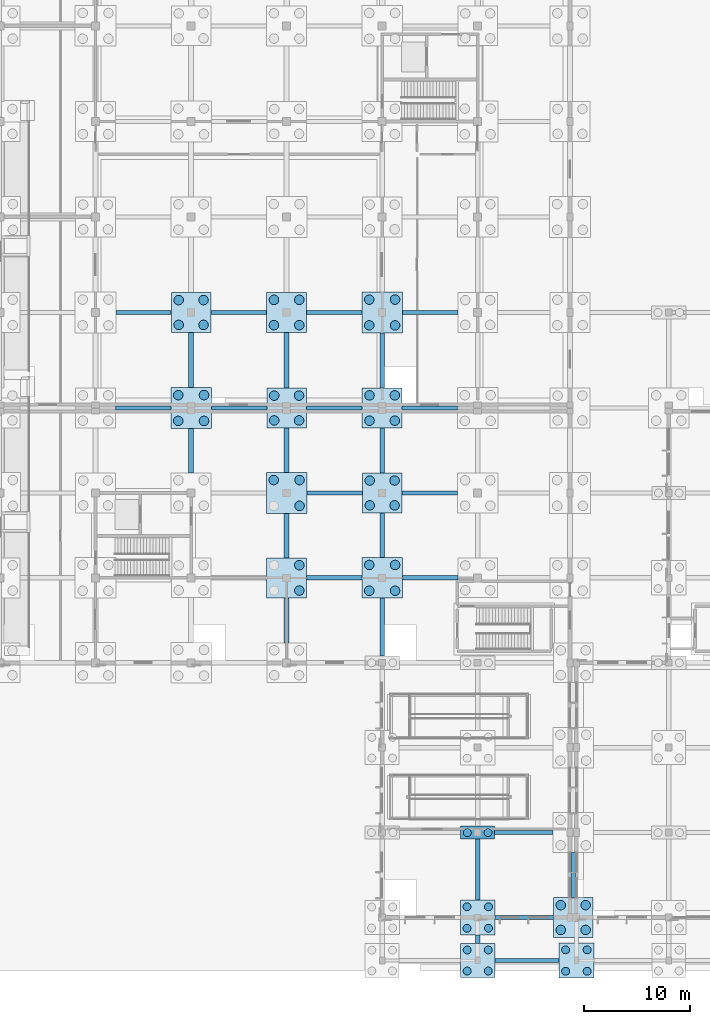
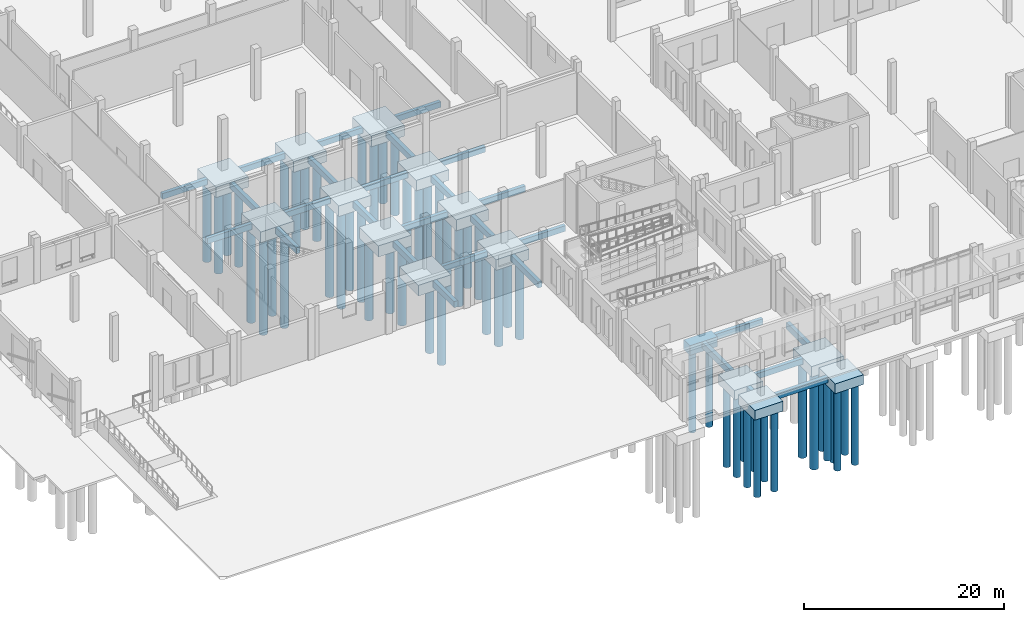
# One storey, part 3 of 99: 55 piles, 43 footings.
"""IFC4 building model written with IfcOpenShell, lengths in metres."""

from ifc_helpers import new_model, si_unit, direction, frame, origin, origin_2d, place, context, subcontext, project, spatial, rectangle, circle, extrude, material, layer, layer_set, material_profile, profile_set, type_object, element, save


model = new_model("IFC4")

# Units and contexts
model_context = context("Model", 3, precision=1e-05, world=origin(), true_north=direction((0.0, 1.0)))
body_context = subcontext(model_context, "Body", "Model", "MODEL_VIEW")
ifc_project = project(units=[si_unit("LENGTHUNIT", "METRE"), si_unit("AREAUNIT", "SQUARE_METRE"), si_unit("VOLUMEUNIT", "CUBIC_METRE"), si_unit("PLANEANGLEUNIT", "RADIAN"), si_unit("MASSUNIT", "GRAM", prefix="KILO")], contexts=[model_context])

# Site, building, storey
site_placement = place(None, origin())
site = spatial("IfcSite", under=ifc_project, at=site_placement, CompositionType="ELEMENT")
building_placement = place(site_placement, origin())
building = spatial("IfcBuilding", under=site, at=building_placement, Name="Zacnel Wholesale Market", CompositionType="ELEMENT")
storey_placement = place(building_placement, origin())
storey = spatial("IfcBuildingStorey", under=building, at=storey_placement, Name="L01", CompositionType="ELEMENT", Elevation=0.0)

# Footings
ifc_material_1 = material(Name="Concrete C35/45", Category="concrete")
ifc_material_profile_1 = material_profile(ifc_material_1, rectangle(XDim=0.39990234375, YDim=0.699951171875, at=origin_2d()), Name="CT 400x700")
ifc_profile_set_1 = profile_set([ifc_material_profile_1], Name="Concrete C35/45")
footing_type_1 = type_object("IfcFootingType", Name="FTG-CT400X700", PredefinedType="FOOTING_BEAM", material=ifc_profile_set_1)
footing_1_placement = place(storey_placement, frame((64.6201171875, -4.050048828125, -0.85009765625), z_axis=(1.0, 0.0, 0.0), x_axis=(0.0, 1.0, 0.0)))
element("IfcFooting", 1, at=footing_1_placement, inside=storey, type_object=footing_type_1, Name="Ground tie beam CT-X-0247", PredefinedType="FOOTING_BEAM", context=body_context, shape_type="SweptSolid", body=[
    extrude(rectangle(XDim=0.39990234375, YDim=0.699951171875, at=origin_2d()), origin(), (0.0, 0.0, 1.0), 6.044921875),
])
footing_2_placement = place(storey_placement, frame((64.635009765625, 0.0, -0.85009765625), z_axis=(1.0, 0.0, 0.0), x_axis=(0.0, 1.0, 0.0)))
element("IfcFooting", 2, at=footing_2_placement, inside=storey, type_object=footing_type_1, Name="Ground tie beam CT-X-0252", PredefinedType="FOOTING_BEAM", context=body_context, shape_type="SweptSolid", body=[
    extrude(rectangle(XDim=0.39990234375, YDim=0.699951171875, at=origin_2d()), origin(), (0.0, 0.0, 1.0), 5.494873046875),
])
footing_3_placement = place(storey_placement, frame((64.60009765625, 8.0, -0.85009765625), z_axis=(1.0, 0.0, 0.0), x_axis=(0.0, 1.0, 0.0)))
element("IfcFooting", 3, at=footing_3_placement, inside=storey, type_object=footing_type_1, Name="Ground tie beam CT-X-0268", PredefinedType="FOOTING_BEAM", context=body_context, shape_type="SweptSolid", body=[
    extrude(rectangle(XDim=0.39990234375, YDim=0.699951171875, at=origin_2d()), origin(), (0.0, 0.0, 1.0), 5.510009765625),
])
footing_4_placement = place(storey_placement, frame((46.889892578125, 32.0, -0.85009765625), z_axis=(1.0, 0.0, 0.0), x_axis=(0.0, 1.0, 0.0)))
element("IfcFooting", 4, at=footing_4_placement, inside=storey, type_object=footing_type_1, Name="Ground tie beam CT-X-0322", PredefinedType="FOOTING_BEAM", context=body_context, shape_type="SweptSolid", body=[
    extrude(rectangle(XDim=0.39990234375, YDim=0.699951171875, at=origin_2d()), origin(), (0.0, 0.0, 1.0), 5.195068359375),
])
for number, where, z_axis, x_axis, name in (
    (5, (55.9150390625, 32.0, -0.85009765625), (1.0, 0.0, 0.0), (0.0, 1.0, 0.0), "Ground tie beam CT-X-0323"),
    (6, (46.9150390625, 40.0, -0.85009765625), (1.0, 0.0, 0.0), (0.0, 1.0, 0.0), "Ground tie beam CT-X-0343"),
):
    element("IfcFooting", number, at=place(storey_placement, frame(where, z_axis=z_axis, x_axis=x_axis)), inside=storey, type_object=footing_type_1, Name=name, PredefinedType="FOOTING_BEAM", context=body_context, shape_type="SweptSolid", body=[
        extrude(rectangle(XDim=0.39990234375, YDim=0.699951171875, at=origin_2d()), origin(), (0.0, 0.0, 1.0), 5.21484375),
    ])
footing_5_placement = place(storey_placement, frame((55.8701171875, 40.0, -0.85009765625), z_axis=(1.0, 0.0, 0.0), x_axis=(0.0, 1.0, 0.0)))
element("IfcFooting", 7, at=footing_5_placement, inside=storey, type_object=footing_type_1, Name="Ground tie beam CT-X-0344", PredefinedType="FOOTING_BEAM", context=body_context, shape_type="SweptSolid", body=[
    extrude(rectangle(XDim=0.39990234375, YDim=0.699951171875, at=origin_2d()), origin(), (0.0, 0.0, 1.0), 5.239990234375),
])
footing_6_placement = place(storey_placement, frame((28.889892578125, 48.0, -0.85009765625), z_axis=(1.0, 0.0, 0.0), x_axis=(0.0, 1.0, 0.0)))
element("IfcFooting", 8, at=footing_6_placement, inside=storey, type_object=footing_type_1, Name="Ground tie beam CT-X-0364", PredefinedType="FOOTING_BEAM", context=body_context, shape_type="SweptSolid", body=[
    extrude(rectangle(XDim=0.39990234375, YDim=0.699951171875, at=origin_2d()), origin(), (0.0, 0.0, 1.0), 5.195068359375),
])
footing_7_placement = place(storey_placement, frame((37.9150390625, 48.0, -0.85009765625), z_axis=(1.0, 0.0, 0.0), x_axis=(0.0, 1.0, 0.0)))
element("IfcFooting", 9, at=footing_7_placement, inside=storey, type_object=footing_type_1, Name="Ground tie beam CT-X-0365", PredefinedType="FOOTING_BEAM", context=body_context, shape_type="SweptSolid", body=[
    extrude(rectangle(XDim=0.39990234375, YDim=0.699951171875, at=origin_2d()), origin(), (0.0, 0.0, 1.0), 5.21484375),
])
footing_8_placement = place(storey_placement, frame((46.8701171875, 48.0, -0.85009765625), z_axis=(1.0, 0.0, 0.0), x_axis=(0.0, 1.0, 0.0)))
element("IfcFooting", 10, at=footing_8_placement, inside=storey, type_object=footing_type_1, Name="Ground tie beam CT-X-0366", PredefinedType="FOOTING_BEAM", context=body_context, shape_type="SweptSolid", body=[
    extrude(rectangle(XDim=0.39990234375, YDim=0.699951171875, at=origin_2d()), origin(), (0.0, 0.0, 1.0), 5.239990234375),
])
footing_9_placement = place(storey_placement, frame((55.889892578125, 48.0, -0.85009765625), z_axis=(1.0, 0.0, 0.0), x_axis=(0.0, 1.0, 0.0)))
element("IfcFooting", 11, at=footing_9_placement, inside=storey, type_object=footing_type_1, Name="Ground tie beam CT-X-0367", PredefinedType="FOOTING_BEAM", context=body_context, shape_type="SweptSolid", body=[
    extrude(rectangle(XDim=0.39990234375, YDim=0.699951171875, at=origin_2d()), origin(), (0.0, 0.0, 1.0), 5.195068359375),
])
footing_10_placement = place(storey_placement, frame((28.9150390625, 57.0, -0.85009765625), z_axis=(1.0, 0.0, 0.0), x_axis=(0.0, 1.0, 0.0)))
element("IfcFooting", 12, at=footing_10_placement, inside=storey, type_object=footing_type_1, Name="Ground tie beam CT-X-0384", PredefinedType="FOOTING_BEAM", context=body_context, shape_type="SweptSolid", body=[
    extrude(rectangle(XDim=0.39990234375, YDim=0.699951171875, at=origin_2d()), origin(), (0.0, 0.0, 1.0), 5.21484375),
])
footing_11_placement = place(storey_placement, frame((37.8701171875, 57.0, -0.85009765625), z_axis=(1.0, 0.0, 0.0), x_axis=(0.0, 1.0, 0.0)))
element("IfcFooting", 13, at=footing_11_placement, inside=storey, type_object=footing_type_1, Name="Ground tie beam CT-X-0385", PredefinedType="FOOTING_BEAM", context=body_context, shape_type="SweptSolid", body=[
    extrude(rectangle(XDim=0.39990234375, YDim=0.699951171875, at=origin_2d()), origin(), (0.0, 0.0, 1.0), 5.239990234375),
])
footing_12_placement = place(storey_placement, frame((46.889892578125, 57.0, -0.85009765625), z_axis=(1.0, 0.0, 0.0), x_axis=(0.0, 1.0, 0.0)))
element("IfcFooting", 14, at=footing_12_placement, inside=storey, type_object=footing_type_1, Name="Ground tie beam CT-X-0386", PredefinedType="FOOTING_BEAM", context=body_context, shape_type="SweptSolid", body=[
    extrude(rectangle(XDim=0.39990234375, YDim=0.699951171875, at=origin_2d()), origin(), (0.0, 0.0, 1.0), 5.195068359375),
])
footing_13_placement = place(storey_placement, frame((55.9150390625, 57.0, -0.85009765625), z_axis=(1.0, 0.0, 0.0), x_axis=(0.0, 1.0, 0.0)))
element("IfcFooting", 15, at=footing_13_placement, inside=storey, type_object=footing_type_1, Name="Ground tie beam CT-X-0387", PredefinedType="FOOTING_BEAM", context=body_context, shape_type="SweptSolid", body=[
    extrude(rectangle(XDim=0.39990234375, YDim=0.699951171875, at=origin_2d()), origin(), (0.0, 0.0, 1.0), 5.21484375),
])
ifc_material_2 = material(Name="Concrete C35/45", Category="concrete")
ifc_material_profile_2 = material_profile(ifc_material_2, rectangle(XDim=0.449951171875, YDim=0.75, at=origin_2d()), Name="CT 450x750")
ifc_profile_set_2 = profile_set([ifc_material_profile_2], Name="Concrete C35/45")
footing_type_2 = type_object("IfcFootingType", Name="FTG-CT450X750", PredefinedType="FOOTING_BEAM", material=ifc_profile_set_2)
footing_14_placement = place(storey_placement, frame((36.0, 41.889892578125, -0.875), z_axis=(0.0, 1.0, 0.0), x_axis=(-1.0, 0.0, 0.0)))
element("IfcFooting", 16, at=footing_14_placement, inside=storey, type_object=footing_type_2, Name="Ground tie beam CT-Y-0036", PredefinedType="FOOTING_BEAM", context=body_context, shape_type="SweptSolid", body=[
    extrude(rectangle(XDim=0.449951171875, YDim=0.75, at=origin_2d()), origin(), (0.0, 0.0, 1.0), 4.195068359375),
])
footing_15_placement = place(storey_placement, frame((36.0, 49.9150390625, -0.875), z_axis=(0.0, 1.0, 0.0), x_axis=(-1.0, 0.0, 0.0)))
element("IfcFooting", 17, at=footing_15_placement, inside=storey, type_object=footing_type_2, Name="Ground tie beam CT-Y-0037", PredefinedType="FOOTING_BEAM", context=body_context, shape_type="SweptSolid", body=[
    extrude(rectangle(XDim=0.449951171875, YDim=0.75, at=origin_2d()), origin(), (0.0, 0.0, 1.0), 5.21484375),
])
footing_16_placement = place(storey_placement, frame((45.0, 25.8701171875, -0.875), z_axis=(0.0, 1.0, 0.0), x_axis=(-1.0, 0.0, 0.0)))
element("IfcFooting", 18, at=footing_16_placement, inside=storey, type_object=footing_type_2, Name="Ground tie beam CT-Y-0045", PredefinedType="FOOTING_BEAM", context=body_context, shape_type="SweptSolid", body=[
    extrude(rectangle(XDim=0.449951171875, YDim=0.75, at=origin_2d()), origin(), (0.0, 0.0, 1.0), 4.239990234375),
])
footing_17_placement = place(storey_placement, frame((45.0, 33.889892578125, -0.875), z_axis=(0.0, 1.0, 0.0), x_axis=(-1.0, 0.0, 0.0)))
element("IfcFooting", 19, at=footing_17_placement, inside=storey, type_object=footing_type_2, Name="Ground tie beam CT-Y-0046", PredefinedType="FOOTING_BEAM", context=body_context, shape_type="SweptSolid", body=[
    extrude(rectangle(XDim=0.449951171875, YDim=0.75, at=origin_2d()), origin(), (0.0, 0.0, 1.0), 4.195068359375),
])
footing_18_placement = place(storey_placement, frame((45.0, 41.9150390625, -0.875), z_axis=(0.0, 1.0, 0.0), x_axis=(-1.0, 0.0, 0.0)))
element("IfcFooting", 20, at=footing_18_placement, inside=storey, type_object=footing_type_2, Name="Ground tie beam CT-Y-0047", PredefinedType="FOOTING_BEAM", context=body_context, shape_type="SweptSolid", body=[
    extrude(rectangle(XDim=0.449951171875, YDim=0.75, at=origin_2d()), origin(), (0.0, 0.0, 1.0), 4.21484375),
])
footing_19_placement = place(storey_placement, frame((45.0, 49.8701171875, -0.875), z_axis=(0.0, 1.0, 0.0), x_axis=(-1.0, 0.0, 0.0)))
element("IfcFooting", 21, at=footing_19_placement, inside=storey, type_object=footing_type_2, Name="Ground tie beam CT-Y-0048", PredefinedType="FOOTING_BEAM", context=body_context, shape_type="SweptSolid", body=[
    extrude(rectangle(XDim=0.449951171875, YDim=0.75, at=origin_2d()), origin(), (0.0, 0.0, 1.0), 5.239990234375),
])
footing_20_placement = place(storey_placement, frame((54.0, 24.625, -0.875), z_axis=(0.0, 1.0, 0.0), x_axis=(-1.0, 0.0, 0.0)))
element("IfcFooting", 22, at=footing_20_placement, inside=storey, type_object=footing_type_2, Name="Ground tie beam CT-Y-0061", PredefinedType="FOOTING_BEAM", context=body_context, shape_type="SweptSolid", body=[
    extrude(rectangle(XDim=0.449951171875, YDim=0.75, at=origin_2d()), origin(), (0.0, 0.0, 1.0), 5.4599609375),
])
footing_21_placement = place(storey_placement, frame((54.0, 33.9150390625, -0.875), z_axis=(0.0, 1.0, 0.0), x_axis=(-1.0, 0.0, 0.0)))
element("IfcFooting", 23, at=footing_21_placement, inside=storey, type_object=footing_type_2, Name="Ground tie beam CT-Y-0062", PredefinedType="FOOTING_BEAM", context=body_context, shape_type="SweptSolid", body=[
    extrude(rectangle(XDim=0.449951171875, YDim=0.75, at=origin_2d()), origin(), (0.0, 0.0, 1.0), 4.21484375),
])
footing_22_placement = place(storey_placement, frame((54.0, 41.8701171875, -0.875), z_axis=(0.0, 1.0, 0.0), x_axis=(-1.0, 0.0, 0.0)))
element("IfcFooting", 24, at=footing_22_placement, inside=storey, type_object=footing_type_2, Name="Ground tie beam CT-Y-0063", PredefinedType="FOOTING_BEAM", context=body_context, shape_type="SweptSolid", body=[
    extrude(rectangle(XDim=0.449951171875, YDim=0.75, at=origin_2d()), origin(), (0.0, 0.0, 1.0), 4.239990234375),
])
footing_23_placement = place(storey_placement, frame((54.0, 49.889892578125, -0.875), z_axis=(0.0, 1.0, 0.0), x_axis=(-1.0, 0.0, 0.0)))
element("IfcFooting", 25, at=footing_23_placement, inside=storey, type_object=footing_type_2, Name="Ground tie beam CT-Y-0064", PredefinedType="FOOTING_BEAM", context=body_context, shape_type="SweptSolid", body=[
    extrude(rectangle(XDim=0.449951171875, YDim=0.75, at=origin_2d()), origin(), (0.0, 0.0, 1.0), 5.195068359375),
])
footing_24_placement = place(storey_placement, frame((63.0, -2.429931640625, -0.875), z_axis=(0.0, 1.0, 0.0), x_axis=(-1.0, 0.0, 0.0)))
element("IfcFooting", 26, at=footing_24_placement, inside=storey, type_object=footing_type_2, Name="Ground tie beam CT-Y-0072", PredefinedType="FOOTING_BEAM", context=body_context, shape_type="SweptSolid", body=[
    extrude(rectangle(XDim=0.449951171875, YDim=0.75, at=origin_2d()), origin(), (0.0, 0.0, 1.0), 0.794921875),
])
footing_25_placement = place(storey_placement, frame((63.0, 1.635009765625, -0.875), z_axis=(0.0, 1.0, 0.0), x_axis=(-1.0, 0.0, 0.0)))
element("IfcFooting", 27, at=footing_25_placement, inside=storey, type_object=footing_type_2, Name="Ground tie beam CT-Y-0073", PredefinedType="FOOTING_BEAM", context=body_context, shape_type="SweptSolid", body=[
    extrude(rectangle(XDim=0.449951171875, YDim=0.75, at=origin_2d()), origin(), (0.0, 0.0, 1.0), 5.739990234375),
])
footing_26_placement = place(storey_placement, frame((72.0, 1.8701171875, -0.875), z_axis=(0.0, 1.0, 0.0), x_axis=(-1.0, 0.0, 0.0)))
element("IfcFooting", 28, at=footing_26_placement, inside=storey, type_object=footing_type_2, Name="Ground tie beam CT-Y-0093", PredefinedType="FOOTING_BEAM", context=body_context, shape_type="SweptSolid", body=[
    extrude(rectangle(XDim=0.449951171875, YDim=0.75, at=origin_2d()), origin(), (0.0, 0.0, 1.0), 4.239990234375),
])
ifc_material_3 = material(Name="Concrete C35/45", Category="concrete")
ifc_layer_1 = layer(ifc_material_3, 1.199951171875)
ifc_layer_set_1 = layer_set([ifc_layer_1], Name="Concrete C35/45")
footing_type_3 = type_object("IfcFootingType", Name="FTG-PC-3200X1250X1200", PredefinedType="PILE_CAP", material=ifc_layer_set_1)
footing_27_placement = place(storey_placement, frame((63.0, 8.0, -1.7001953125), z_axis=(0.0, 0.0, 1.0), x_axis=(1.0, 0.0, 0.0)))
element("IfcFooting", 29, at=footing_27_placement, inside=storey, type_object=footing_type_3, Name="Pile cap PC-12 (STR-PC-096)", PredefinedType="PILE_CAP", context=body_context, shape_type="SweptSolid", body=[
    extrude(rectangle(XDim=3.199951171875, YDim=1.25, at=origin_2d()), origin(), (0.0, 0.0, 1.0), 1.199951171875),
])
ifc_material_4 = material(Name="Concrete C35/45", Category="concrete")
ifc_layer_2 = layer(ifc_material_4, 1.199951171875)
ifc_layer_set_2 = layer_set([ifc_layer_2], Name="Concrete C35/45")
footing_type_4 = type_object("IfcFootingType", Name="FTG-PC-3240X3240X1200", PredefinedType="PILE_CAP", material=ifc_layer_set_2)
footing_28_placement = place(storey_placement, frame((63.0, -4.050048828125, -1.7001953125), z_axis=(0.0, 0.0, 1.0), x_axis=(1.0, 0.0, 0.0)))
element("IfcFooting", 30, at=footing_28_placement, inside=storey, type_object=footing_type_4, Name="Pile cap PC-22 (STR-PC-R2-BV4W-02)", PredefinedType="PILE_CAP", context=body_context, shape_type="SweptSolid", body=[
    extrude(rectangle(XDim=3.239990234375, YDim=3.239990234375, at=origin_2d()), origin(), (0.0, 0.0, 1.0), 1.199951171875),
])
ifc_material_5 = material(Name="Concrete C35/45", Category="concrete")
ifc_layer_3 = layer(ifc_material_5, 1.14990234375)
ifc_layer_set_3 = layer_set([ifc_layer_3], Name="Concrete C35/45")
footing_type_5 = type_object("IfcFootingType", Name="FTG-PC-3270X3270X1150", PredefinedType="PILE_CAP", material=ifc_layer_set_3)
footing_29_placement = place(storey_placement, frame((63.0, 0.0, -1.64990234375), z_axis=(0.0, 0.0, 1.0), x_axis=(1.0, 0.0, 0.0)))
element("IfcFooting", 31, at=footing_29_placement, inside=storey, type_object=footing_type_5, Name="Pile cap PC-11 (STR-PC-095)", PredefinedType="PILE_CAP", context=body_context, shape_type="SweptSolid", body=[
    extrude(rectangle(XDim=3.27001953125, YDim=3.27001953125, at=origin_2d()), origin(), (0.0, 0.0, 1.0), 1.14990234375),
])
ifc_material_6 = material(Name="Concrete C35/45", Category="concrete")
ifc_layer_4 = layer(ifc_material_6, 1.199951171875)
ifc_layer_set_4 = layer_set([ifc_layer_4], Name="Concrete C35/45")
footing_type_6 = type_object("IfcFootingType", Name="FTG-PC-3270X3270X1200", PredefinedType="PILE_CAP", material=ifc_layer_set_4)
footing_30_placement = place(storey_placement, frame((72.300048828125, -4.050048828125, -1.7001953125), z_axis=(0.0, 0.0, 1.0), x_axis=(1.0, 0.0, 0.0)))
element("IfcFooting", 32, at=footing_30_placement, inside=storey, type_object=footing_type_6, Name="Pile cap PC-23 (STR-PC-R2-BV4W-03)", PredefinedType="PILE_CAP", context=body_context, shape_type="SweptSolid", body=[
    extrude(rectangle(XDim=3.27001953125, YDim=3.27001953125, at=origin_2d()), origin(), (0.0, 0.0, 1.0), 1.199951171875),
])
ifc_material_7 = material(Name="Concrete C35/45", Category="concrete")
ifc_layer_5 = layer(ifc_material_7, 1.300048828125)
ifc_layer_set_5 = layer_set([ifc_layer_5], Name="Concrete C35/45")
footing_type_7 = type_object("IfcFootingType", Name="FTG-PC-3740X3740X1300", PredefinedType="PILE_CAP", material=ifc_layer_set_5)
for number, where, z_axis, x_axis, name in (
    (33, (36.0, 57.0, -1.7998046875), (0.0, 0.0, 1.0), (1.0, 0.0, 0.0), "Pile cap PC-03 (STR-PC-057)"),
    (34, (45.0, 48.0, -1.7998046875), (0.0, 0.0, 1.0), (1.0, 0.0, 0.0), "Pile cap PC-03 (STR-PC-069)"),
    (35, (72.0, 0.0, -1.7998046875), (0.0, 0.0, 1.0), (1.0, 0.0, 0.0), "Pile cap PC-03 (STR-PC-111)"),
):
    element("IfcFooting", number, at=place(storey_placement, frame(where, z_axis=z_axis, x_axis=x_axis)), inside=storey, type_object=footing_type_7, Name=name, PredefinedType="PILE_CAP", context=body_context, shape_type="SweptSolid", body=[
        extrude(rectangle(XDim=3.739990234375, YDim=3.739990234375, at=origin_2d()), origin(), (0.0, 0.0, 1.0), 1.300048828125),
    ])
ifc_material_8 = material(Name="Concrete C35/45", Category="concrete")
ifc_layer_6 = layer(ifc_material_8, 1.35009765625)
ifc_layer_set_6 = layer_set([ifc_layer_6], Name="Concrete C35/45")
footing_type_8 = type_object("IfcFootingType", Name="FTG-PC-3740X3740X1350", PredefinedType="PILE_CAP", material=ifc_layer_set_6)
footing_31_placement = place(storey_placement, frame((54.0, 40.0, -1.85009765625), z_axis=(0.0, 0.0, 1.0), x_axis=(1.0, 0.0, 0.0)))
element("IfcFooting", 36, at=footing_31_placement, inside=storey, type_object=footing_type_8, Name="Pile cap PC-06 (STR-PC-084)", PredefinedType="PILE_CAP", context=body_context, shape_type="SweptSolid", body=[
    extrude(rectangle(XDim=3.739990234375, YDim=3.739990234375, at=origin_2d()), origin(), (0.0, 0.0, 1.0), 1.35009765625),
])
ifc_material_9 = material(Name="Concrete C35/45", Category="concrete")
ifc_layer_7 = layer(ifc_material_9, 1.300048828125)
ifc_layer_set_7 = layer_set([ifc_layer_7], Name="Concrete C35/45")
footing_type_9 = type_object("IfcFootingType", Name="FTG-PC-3780X3780X1300", PredefinedType="PILE_CAP", material=ifc_layer_set_7)
for number, where, z_axis, x_axis, name in (
    (37, (45.0, 32.0, -1.7998046875), (0.0, 0.0, 1.0), (1.0, 0.0, 0.0), "Pile cap PC-01 (STR-PC-067)"),
    (38, (54.0, 48.0, -1.7998046875), (0.0, 0.0, 1.0), (1.0, 0.0, 0.0), "Pile cap PC-01 (STR-PC-085)"),
):
    element("IfcFooting", number, at=place(storey_placement, frame(where, z_axis=z_axis, x_axis=x_axis)), inside=storey, type_object=footing_type_9, Name=name, PredefinedType="PILE_CAP", context=body_context, shape_type="SweptSolid", body=[
        extrude(rectangle(XDim=3.780029296875, YDim=3.780029296875, at=origin_2d()), origin(), (0.0, 0.0, 1.0), 1.300048828125),
    ])
ifc_material_10 = material(Name="Concrete C35/45", Category="concrete")
ifc_layer_8 = layer(ifc_material_10, 1.35009765625)
ifc_layer_set_8 = layer_set([ifc_layer_8], Name="Concrete C35/45")
footing_type_10 = type_object("IfcFootingType", Name="FTG-PC-3780X3780X1350", PredefinedType="PILE_CAP", material=ifc_layer_set_8)
footing_32_placement = place(storey_placement, frame((45.0, 57.0, -1.85009765625), z_axis=(0.0, 0.0, 1.0), x_axis=(1.0, 0.0, 0.0)))
element("IfcFooting", 39, at=footing_32_placement, inside=storey, type_object=footing_type_10, Name="Pile cap PC-04 (STR-PC-070)", PredefinedType="PILE_CAP", context=body_context, shape_type="SweptSolid", body=[
    extrude(rectangle(XDim=3.780029296875, YDim=3.780029296875, at=origin_2d()), origin(), (0.0, 0.0, 1.0), 1.35009765625),
])
ifc_material_11 = material(Name="Concrete C35/45", Category="concrete")
ifc_layer_9 = layer(ifc_material_11, 1.300048828125)
ifc_layer_set_9 = layer_set([ifc_layer_9], Name="Concrete C35/45")
footing_type_11 = type_object("IfcFootingType", Name="FTG-PC-3830X3830X1300", PredefinedType="PILE_CAP", material=ifc_layer_set_9)
footing_33_placement = place(storey_placement, frame((54.0, 32.0, -1.7998046875), z_axis=(0.0, 0.0, 1.0), x_axis=(1.0, 0.0, 0.0)))
element("IfcFooting", 40, at=footing_33_placement, inside=storey, type_object=footing_type_11, Name="Pile cap PC-05 (STR-PC-083)", PredefinedType="PILE_CAP", context=body_context, shape_type="SweptSolid", body=[
    extrude(rectangle(XDim=3.830078125, YDim=3.830078125, at=origin_2d()), origin(), (0.0, 0.0, 1.0), 1.300048828125),
])
ifc_material_12 = material(Name="Concrete C35/45", Category="concrete")
ifc_layer_10 = layer(ifc_material_12, 1.35009765625)
ifc_layer_set_10 = layer_set([ifc_layer_10], Name="Concrete C35/45")
footing_type_12 = type_object("IfcFootingType", Name="FTG-PC-3830X3830X1350", PredefinedType="PILE_CAP", material=ifc_layer_set_10)
for number, where, z_axis, x_axis, name in (
    (41, (36.0, 48.0, -1.85009765625), (0.0, 0.0, 1.0), (1.0, 0.0, 0.0), "Pile cap PC-02 (STR-PC-056)"),
    (42, (45.0, 40.0, -1.85009765625), (0.0, 0.0, 1.0), (1.0, 0.0, 0.0), "Pile cap PC-02 (STR-PC-068)"),
    (43, (54.0, 57.0, -1.85009765625), (0.0, 0.0, 1.0), (1.0, 0.0, 0.0), "Pile cap PC-02 (STR-PC-086)"),
):
    element("IfcFooting", number, at=place(storey_placement, frame(where, z_axis=z_axis, x_axis=x_axis)), inside=storey, type_object=footing_type_12, Name=name, PredefinedType="PILE_CAP", context=body_context, shape_type="SweptSolid", body=[
        extrude(rectangle(XDim=3.830078125, YDim=3.830078125, at=origin_2d()), origin(), (0.0, 0.0, 1.0), 1.35009765625),
    ])

# Piles
ifc_material_13 = material(Name="Concrete C35/45", Category="concrete")
ifc_material_profile_3 = material_profile(ifc_material_13, circle(Radius=0.375, at=origin_2d()), Name="BORED PILE D750")
ifc_profile_set_3 = profile_set([ifc_material_profile_3], Name="Concrete C35/45")
pile_type_1 = type_object("IfcPileType", Name="PILE-BORED-750", PredefinedType="BORED", material=ifc_profile_set_3)
for number, where, z_axis, x_axis, name in (
    (44, (61.987548828125, -1.012451171875, -1.550048828125), (0.0, 0.0, -1.0), (1.0, 0.0, 0.0), "Bored pile STR-PILE-095-01"),
    (45, (61.987548828125, 1.012451171875, -1.550048828125), (0.0, 0.0, -1.0), (1.0, 0.0, 0.0), "Bored pile STR-PILE-095-02"),
    (46, (64.012451171875, -1.012451171875, -1.550048828125), (0.0, 0.0, -1.0), (1.0, 0.0, 0.0), "Bored pile STR-PILE-095-03"),
    (47, (64.012451171875, 1.012451171875, -1.550048828125), (0.0, 0.0, -1.0), (1.0, 0.0, 0.0), "Bored pile STR-PILE-095-04"),
):
    element("IfcPile", number, at=place(storey_placement, frame(where, z_axis=z_axis, x_axis=x_axis)), inside=storey, type_object=pile_type_1, Name=name, PredefinedType="BORED", context=body_context, shape_type="SweptSolid", body=[
        extrude(circle(Radius=0.375, at=origin_2d()), origin(), (0.0, 0.0, 1.0), 9.949951171875),
    ])
for number, where, z_axis, x_axis, name in (
    (48, (62.02490234375, 8.0, -1.60009765625), (0.0, 0.0, -1.0), (1.0, 0.0, 0.0), "Bored pile STR-PILE-096-01"),
    (49, (63.97509765625, 8.0, -1.60009765625), (0.0, 0.0, -1.0), (1.0, 0.0, 0.0), "Bored pile STR-PILE-096-02"),
    (50, (62.006591796875, -5.04345703125, -1.60009765625), (0.0, 0.0, -1.0), (1.0, 0.0, 0.0), "Bored pile STR-PILE-R2-BV4W-02-01"),
    (51, (62.006591796875, -3.056396484375, -1.60009765625), (0.0, 0.0, -1.0), (1.0, 0.0, 0.0), "Bored pile STR-PILE-R2-BV4W-02-02"),
    (52, (63.993408203125, -5.04345703125, -1.60009765625), (0.0, 0.0, -1.0), (1.0, 0.0, 0.0), "Bored pile STR-PILE-R2-BV4W-02-03"),
    (53, (63.993408203125, -3.056396484375, -1.60009765625), (0.0, 0.0, -1.0), (1.0, 0.0, 0.0), "Bored pile STR-PILE-R2-BV4W-02-04"),
    (54, (71.28759765625, -5.0625, -1.60009765625), (0.0, 0.0, -1.0), (1.0, 0.0, 0.0), "Bored pile STR-PILE-R2-BV4W-03-01"),
    (55, (71.28759765625, -3.03759765625, -1.60009765625), (0.0, 0.0, -1.0), (1.0, 0.0, 0.0), "Bored pile STR-PILE-R2-BV4W-03-02"),
    (56, (73.3125, -5.0625, -1.60009765625), (0.0, 0.0, -1.0), (1.0, 0.0, 0.0), "Bored pile STR-PILE-R2-BV4W-03-03"),
    (57, (73.3125, -3.03759765625, -1.60009765625), (0.0, 0.0, -1.0), (1.0, 0.0, 0.0), "Bored pile STR-PILE-R2-BV4W-03-04"),
):
    element("IfcPile", number, at=place(storey_placement, frame(where, z_axis=z_axis, x_axis=x_axis)), inside=storey, type_object=pile_type_1, Name=name, PredefinedType="BORED", context=body_context, shape_type="SweptSolid", body=[
        extrude(circle(Radius=0.375, at=origin_2d()), origin(), (0.0, 0.0, 1.0), 9.89990234375),
    ])
ifc_material_14 = material(Name="Concrete C35/45", Category="concrete")
ifc_material_profile_4 = material_profile(ifc_material_14, circle(Radius=0.449951171875, at=origin_2d()), Name="BORED PILE D900")
ifc_profile_set_4 = profile_set([ifc_material_profile_4], Name="Concrete C35/45")
pile_type_2 = type_object("IfcPileType", Name="PILE-BORED-900", PredefinedType="BORED", material=ifc_profile_set_4)
for number, where, z_axis, x_axis, name in (
    (58, (34.784912109375, 46.784912109375, -1.75), (0.0, 0.0, -1.0), (1.0, 0.0, 0.0), "Bored pile STR-PILE-056-01"),
    (59, (34.784912109375, 49.215087890625, -1.75), (0.0, 0.0, -1.0), (1.0, 0.0, 0.0), "Bored pile STR-PILE-056-02"),
    (60, (37.215087890625, 46.784912109375, -1.75), (0.0, 0.0, -1.0), (1.0, 0.0, 0.0), "Bored pile STR-PILE-056-03"),
    (61, (37.215087890625, 49.215087890625, -1.75), (0.0, 0.0, -1.0), (1.0, 0.0, 0.0), "Bored pile STR-PILE-056-04"),
):
    element("IfcPile", number, at=place(storey_placement, frame(where, z_axis=z_axis, x_axis=x_axis)), inside=storey, type_object=pile_type_2, Name=name, PredefinedType="BORED", context=body_context, shape_type="SweptSolid", body=[
        extrude(circle(Radius=0.449951171875, at=origin_2d()), origin(), (0.0, 0.0, 1.0), 11.75),
    ])
for number, where, z_axis, x_axis, name in (
    (62, (34.830078125, 55.830078125, -1.699951171875), (0.0, 0.0, -1.0), (1.0, 0.0, 0.0), "Bored pile STR-PILE-057-01"),
    (63, (34.830078125, 58.169921875, -1.699951171875), (0.0, 0.0, -1.0), (1.0, 0.0, 0.0), "Bored pile STR-PILE-057-02"),
    (64, (37.169921875, 55.830078125, -1.699951171875), (0.0, 0.0, -1.0), (1.0, 0.0, 0.0), "Bored pile STR-PILE-057-03"),
    (65, (37.169921875, 58.169921875, -1.699951171875), (0.0, 0.0, -1.0), (1.0, 0.0, 0.0), "Bored pile STR-PILE-057-04"),
    (66, (46.1923828125, 30.8076171875, -1.699951171875), (0.0, 0.0, -1.0), (1.0, 0.0, 0.0), "Bored pile STR-PILE-067-03"),
    (67, (46.1923828125, 33.1923828125, -1.699951171875), (0.0, 0.0, -1.0), (1.0, 0.0, 0.0), "Bored pile STR-PILE-067-04"),
):
    element("IfcPile", number, at=place(storey_placement, frame(where, z_axis=z_axis, x_axis=x_axis)), inside=storey, type_object=pile_type_2, Name=name, PredefinedType="BORED", context=body_context, shape_type="SweptSolid", body=[
        extrude(circle(Radius=0.449951171875, at=origin_2d()), origin(), (0.0, 0.0, 1.0), 9.800048828125),
    ])
for number, where, z_axis, x_axis, name in (
    (68, (43.784912109375, 41.215087890625, -1.75), (0.0, 0.0, -1.0), (1.0, 0.0, 0.0), "Bored pile STR-PILE-068-02"),
    (69, (46.215087890625, 38.784912109375, -1.75), (0.0, 0.0, -1.0), (1.0, 0.0, 0.0), "Bored pile STR-PILE-068-03"),
    (70, (46.215087890625, 41.215087890625, -1.75), (0.0, 0.0, -1.0), (1.0, 0.0, 0.0), "Bored pile STR-PILE-068-04"),
):
    element("IfcPile", number, at=place(storey_placement, frame(where, z_axis=z_axis, x_axis=x_axis)), inside=storey, type_object=pile_type_2, Name=name, PredefinedType="BORED", context=body_context, shape_type="SweptSolid", body=[
        extrude(circle(Radius=0.449951171875, at=origin_2d()), origin(), (0.0, 0.0, 1.0), 9.75),
    ])
for number, where, z_axis, x_axis, name in (
    (71, (43.830078125, 46.830078125, -1.699951171875), (0.0, 0.0, -1.0), (1.0, 0.0, 0.0), "Bored pile STR-PILE-069-01"),
    (72, (43.830078125, 49.169921875, -1.699951171875), (0.0, 0.0, -1.0), (1.0, 0.0, 0.0), "Bored pile STR-PILE-069-02"),
    (73, (46.169921875, 46.830078125, -1.699951171875), (0.0, 0.0, -1.0), (1.0, 0.0, 0.0), "Bored pile STR-PILE-069-03"),
    (74, (46.169921875, 49.169921875, -1.699951171875), (0.0, 0.0, -1.0), (1.0, 0.0, 0.0), "Bored pile STR-PILE-069-04"),
):
    element("IfcPile", number, at=place(storey_placement, frame(where, z_axis=z_axis, x_axis=x_axis)), inside=storey, type_object=pile_type_2, Name=name, PredefinedType="BORED", context=body_context, shape_type="SweptSolid", body=[
        extrude(circle(Radius=0.449951171875, at=origin_2d()), origin(), (0.0, 0.0, 1.0), 11.800048828125),
    ])
for number, where, z_axis, x_axis, name in (
    (75, (43.8076171875, 55.8076171875, -1.75), (0.0, 0.0, -1.0), (1.0, 0.0, 0.0), "Bored pile STR-PILE-070-01"),
    (76, (43.8076171875, 58.1923828125, -1.75), (0.0, 0.0, -1.0), (1.0, 0.0, 0.0), "Bored pile STR-PILE-070-02"),
    (77, (46.1923828125, 55.8076171875, -1.75), (0.0, 0.0, -1.0), (1.0, 0.0, 0.0), "Bored pile STR-PILE-070-03"),
    (78, (46.1923828125, 58.1923828125, -1.75), (0.0, 0.0, -1.0), (1.0, 0.0, 0.0), "Bored pile STR-PILE-070-04"),
):
    element("IfcPile", number, at=place(storey_placement, frame(where, z_axis=z_axis, x_axis=x_axis)), inside=storey, type_object=pile_type_2, Name=name, PredefinedType="BORED", context=body_context, shape_type="SweptSolid", body=[
        extrude(circle(Radius=0.449951171875, at=origin_2d()), origin(), (0.0, 0.0, 1.0), 9.75),
    ])
for number, where, z_axis, x_axis, name in (
    (79, (52.784912109375, 30.784912109375, -1.699951171875), (0.0, 0.0, -1.0), (1.0, 0.0, 0.0), "Bored pile STR-PILE-083-01"),
    (80, (52.784912109375, 33.215087890625, -1.699951171875), (0.0, 0.0, -1.0), (1.0, 0.0, 0.0), "Bored pile STR-PILE-083-02"),
    (81, (55.215087890625, 30.784912109375, -1.699951171875), (0.0, 0.0, -1.0), (1.0, 0.0, 0.0), "Bored pile STR-PILE-083-03"),
    (82, (55.215087890625, 33.215087890625, -1.699951171875), (0.0, 0.0, -1.0), (1.0, 0.0, 0.0), "Bored pile STR-PILE-083-04"),
):
    element("IfcPile", number, at=place(storey_placement, frame(where, z_axis=z_axis, x_axis=x_axis)), inside=storey, type_object=pile_type_2, Name=name, PredefinedType="BORED", context=body_context, shape_type="SweptSolid", body=[
        extrude(circle(Radius=0.449951171875, at=origin_2d()), origin(), (0.0, 0.0, 1.0), 9.800048828125),
    ])
for number, where, z_axis, x_axis, name in (
    (83, (52.830078125, 38.830078125, -1.75), (0.0, 0.0, -1.0), (1.0, 0.0, 0.0), "Bored pile STR-PILE-084-01"),
    (84, (52.830078125, 41.169921875, -1.75), (0.0, 0.0, -1.0), (1.0, 0.0, 0.0), "Bored pile STR-PILE-084-02"),
    (85, (55.169921875, 38.830078125, -1.75), (0.0, 0.0, -1.0), (1.0, 0.0, 0.0), "Bored pile STR-PILE-084-03"),
    (86, (55.169921875, 41.169921875, -1.75), (0.0, 0.0, -1.0), (1.0, 0.0, 0.0), "Bored pile STR-PILE-084-04"),
):
    element("IfcPile", number, at=place(storey_placement, frame(where, z_axis=z_axis, x_axis=x_axis)), inside=storey, type_object=pile_type_2, Name=name, PredefinedType="BORED", context=body_context, shape_type="SweptSolid", body=[
        extrude(circle(Radius=0.449951171875, at=origin_2d()), origin(), (0.0, 0.0, 1.0), 9.75),
    ])
for number, where, z_axis, x_axis, name in (
    (87, (52.8076171875, 46.8076171875, -1.699951171875), (0.0, 0.0, -1.0), (1.0, 0.0, 0.0), "Bored pile STR-PILE-085-01"),
    (88, (52.8076171875, 49.1923828125, -1.699951171875), (0.0, 0.0, -1.0), (1.0, 0.0, 0.0), "Bored pile STR-PILE-085-02"),
    (89, (55.1923828125, 46.8076171875, -1.699951171875), (0.0, 0.0, -1.0), (1.0, 0.0, 0.0), "Bored pile STR-PILE-085-03"),
    (90, (55.1923828125, 49.1923828125, -1.699951171875), (0.0, 0.0, -1.0), (1.0, 0.0, 0.0), "Bored pile STR-PILE-085-04"),
):
    element("IfcPile", number, at=place(storey_placement, frame(where, z_axis=z_axis, x_axis=x_axis)), inside=storey, type_object=pile_type_2, Name=name, PredefinedType="BORED", context=body_context, shape_type="SweptSolid", body=[
        extrude(circle(Radius=0.449951171875, at=origin_2d()), origin(), (0.0, 0.0, 1.0), 11.800048828125),
    ])
for number, where, z_axis, x_axis, name in (
    (91, (52.784912109375, 55.784912109375, -1.75), (0.0, 0.0, -1.0), (1.0, 0.0, 0.0), "Bored pile STR-PILE-086-01"),
    (92, (52.784912109375, 58.215087890625, -1.75), (0.0, 0.0, -1.0), (1.0, 0.0, 0.0), "Bored pile STR-PILE-086-02"),
    (93, (55.215087890625, 55.784912109375, -1.75), (0.0, 0.0, -1.0), (1.0, 0.0, 0.0), "Bored pile STR-PILE-086-03"),
    (94, (55.215087890625, 58.215087890625, -1.75), (0.0, 0.0, -1.0), (1.0, 0.0, 0.0), "Bored pile STR-PILE-086-04"),
):
    element("IfcPile", number, at=place(storey_placement, frame(where, z_axis=z_axis, x_axis=x_axis)), inside=storey, type_object=pile_type_2, Name=name, PredefinedType="BORED", context=body_context, shape_type="SweptSolid", body=[
        extrude(circle(Radius=0.449951171875, at=origin_2d()), origin(), (0.0, 0.0, 1.0), 9.75),
    ])
for number, where, z_axis, x_axis, name in (
    (95, (70.830078125, -1.169921875, -1.699951171875), (0.0, 0.0, -1.0), (1.0, 0.0, 0.0), "Bored pile STR-PILE-111-01"),
    (96, (70.830078125, 1.169921875, -1.699951171875), (0.0, 0.0, -1.0), (1.0, 0.0, 0.0), "Bored pile STR-PILE-111-02"),
    (97, (73.169921875, -1.169921875, -1.699951171875), (0.0, 0.0, -1.0), (1.0, 0.0, 0.0), "Bored pile STR-PILE-111-03"),
    (98, (73.169921875, 1.169921875, -1.699951171875), (0.0, 0.0, -1.0), (1.0, 0.0, 0.0), "Bored pile STR-PILE-111-04"),
):
    element("IfcPile", number, at=place(storey_placement, frame(where, z_axis=z_axis, x_axis=x_axis)), inside=storey, type_object=pile_type_2, Name=name, PredefinedType="BORED", context=body_context, shape_type="SweptSolid", body=[
        extrude(circle(Radius=0.449951171875, at=origin_2d()), origin(), (0.0, 0.0, 1.0), 11.800048828125),
    ])

save(model, "model.ifc")
